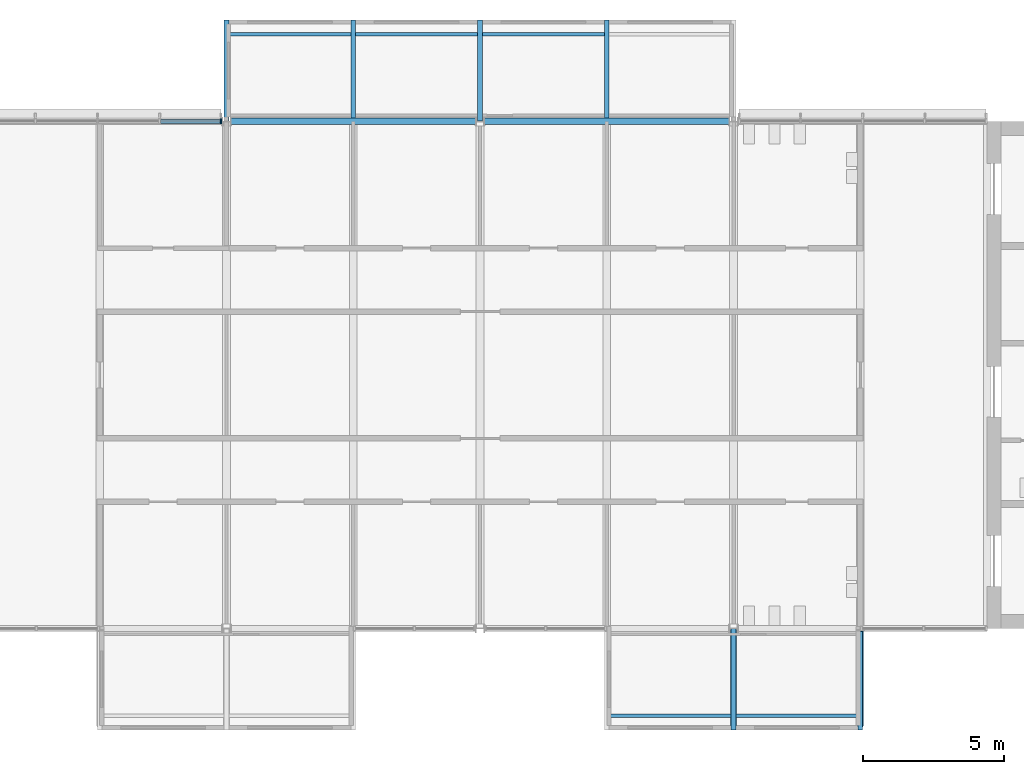
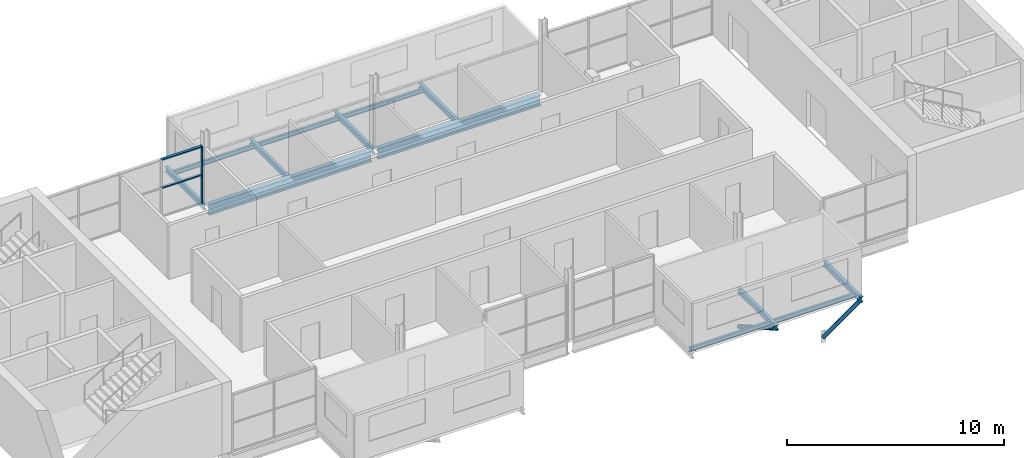
# One storey, part 2 of 12: 13 beams, 5 members, 1 element without a shape of its own.
"""IFC4 building model written with IfcOpenShell, lengths in metres."""

from ifc_helpers import new_model, si_unit, direction, frame, origin, origin_2d, place, context, subcontext, project, spatial, rectangle, hollow_circle, i_section, extrude, material, layer, layer_set, material_profile, profile_set, type_object, element, aggregate, save


model = new_model("IFC4")

# Units and contexts
model_context = context("Model", 3, precision=1e-05, world=origin(), true_north=direction((0.0, 1.0)))
body_context = subcontext(model_context, "Body", "Model", "MODEL_VIEW")
ifc_project = project(units=[si_unit("LENGTHUNIT", "METRE"), si_unit("AREAUNIT", "SQUARE_METRE"), si_unit("VOLUMEUNIT", "CUBIC_METRE"), si_unit("PLANEANGLEUNIT", "RADIAN"), si_unit("MASSUNIT", "GRAM", prefix="KILO")], contexts=[model_context])

# Site, building, storey
site_placement = place(None, origin())
site = spatial("IfcSite", under=ifc_project, at=site_placement, CompositionType="ELEMENT")
building_placement = place(site_placement, origin())
building = spatial("IfcBuilding", under=site, at=building_placement, Name="Corbel Yard City Hall", CompositionType="ELEMENT")
storey_placement = place(building_placement, frame((0.0, 0.0, 55.199951171875)))
storey = spatial("IfcBuildingStorey", under=building, at=storey_placement, Name="L13", CompositionType="ELEMENT", Elevation=55.199951171875)

# Beams
ifc_material_1 = material(Name="Steel Grade 300 (300 MPa yield)", Category="steel")
ifc_material_profile_1 = material_profile(ifc_material_1, i_section(OverallWidth=0.22900390625, OverallDepth=0.612060546875, WebThickness=0.011962890625, FlangeThickness=0.01953125, at=origin_2d()), Name="610UB125")
ifc_profile_set_1 = profile_set([ifc_material_profile_1], Name="Steel Grade 300 (300 MPa yield)")
beam_type_1 = type_object("IfcBeamType", Name="Edge beam 610UB125", PredefinedType="BEAM", material=ifc_profile_set_1)
for number, where, z_axis, x_axis, name in (
    (1, (18.16357421875, 117.0, -0.4560546875), (1.0, 0.0, 0.0), (0.0, 1.0, 0.0), "Edge beam 610UB125 EB7 L13tower"),
    (2, (27.16357421875, 117.0, -0.4560546875), (1.0, 0.0, 0.0), (0.0, 1.0, 0.0), "Edge beam 610UB125 EB7 L13tower"),
):
    element("IfcBeam", number, at=place(storey_placement, frame(where, z_axis=z_axis, x_axis=x_axis)), inside=storey, type_object=beam_type_1, Name=name, PredefinedType="BEAM", context=body_context, shape_type="SweptSolid", body=[
        extrude(i_section(OverallWidth=0.22900390625, OverallDepth=0.612060546875, WebThickness=0.011962890625, FlangeThickness=0.01953125, at=origin_2d()), origin(), (0.0, 0.0, 1.0), 8.6728515625),
    ])

# Curtain wall, member
ifc_material_2 = material(Name="Aluminium extrusion", Category="aluminium")
ifc_layer = layer(ifc_material_2, 0.179931640625)
ifc_layer_set = layer_set([ifc_layer], Name="Aluminium extrusion")
curtain_wall_type = type_object("IfcCurtainWallType", Name="CW6", PredefinedType="USERDEFINED", material=ifc_layer_set)
curtain_wall_placement = place(storey_placement, origin())
curtain_wall = element("IfcCurtainWall", 3, at=curtain_wall_placement, inside=storey, type_object=curtain_wall_type, Name="Curtain wall CW6 L13", ObjectType="CURTAIN WALL", PredefinedType="USERDEFINED")
ifc_material_profile_2 = material_profile(ifc_material_2, rectangle(XDim=0.179931640625, YDim=0.06494140625, at=origin_2d()), Name="180x65")
ifc_profile_set_2 = profile_set([ifc_material_profile_2], Name="Aluminium extrusion")
member_type_1 = type_object("IfcMemberType", Name="ML6", PredefinedType="MULLION", material=ifc_profile_set_2)
member_1_placement = place(storey_placement, frame((17.803955078125, 117.0, 0.0), z_axis=(0.0, 0.0, 1.0), x_axis=(0.0, 1.0, 0.0)))
member_1 = element("IfcMember", 4, at=member_1_placement, type_object=member_type_1, Name="CW6 mullion 5", PredefinedType="MULLION", context=body_context, shape_type="SweptSolid", body=[
    extrude(rectangle(XDim=0.179931640625, YDim=0.06494140625, at=origin_2d()), origin(), (0.0, 0.0, 1.0), 3.238037109375),
])

# Members
ifc_material_3 = material(Name="Steel Grade C350L0", Category="steel")
ifc_material_profile_3 = material_profile(ifc_material_3, hollow_circle(Radius=0.109619140625, WallThickness=0.00830078125, at=origin_2d()), Name="219.1x8.2CHS")
ifc_profile_set_3 = profile_set([ifc_material_profile_3], Name="Steel Grade C350L0")
member_type_2 = type_object("IfcMemberType", Name="Pod knee brace", PredefinedType="BRACE", material=ifc_profile_set_3)
member_2_placement = place(storey_placement, frame((36.0, 95.56005859375, -0.4169921875), z_axis=(0.0, 0.865984367075, -0.500071070931), x_axis=(-1.0, 0.0, 0.0)))
element("IfcMember", 5, at=member_2_placement, inside=storey, type_object=member_type_2, Name="Pod knee brace", PredefinedType="BRACE", context=body_context, shape_type="SweptSolid", body=[
    extrude(hollow_circle(Radius=0.109619140625, WallThickness=0.00830078125, at=origin_2d()), origin(), (0.0, 0.0, 1.0), 3.89990234375),
])
member_3_placement = place(storey_placement, frame((40.5, 95.56005859375, -0.4169921875), z_axis=(0.0, 0.634337153604, -0.773056515112), x_axis=(-1.0, 0.0, 0.0)))
element("IfcMember", 6, at=member_3_placement, inside=storey, type_object=member_type_2, Name="Pod knee brace", PredefinedType="BRACE", context=body_context, shape_type="SweptSolid", body=[
    extrude(hollow_circle(Radius=0.109619140625, WallThickness=0.00830078125, at=origin_2d()), origin(), (0.0, 0.0, 1.0), 5.28173828125),
])

# Beams
ifc_material_profile_4 = material_profile(ifc_material_1, i_section(OverallWidth=0.166015625, OverallDepth=0.306884765625, WebThickness=0.006591796875, FlangeThickness=0.01171875, at=origin_2d()), Name="310UB46.2")
ifc_profile_set_4 = profile_set([ifc_material_profile_4], Name="Steel Grade 300 (300 MPa yield)")
beam_type_2 = type_object("IfcBeamType", Name="Pod stub beam 310UB46.2", PredefinedType="BEAM", material=ifc_profile_set_4)
beam_1_placement = place(storey_placement, frame((36.0, 95.39990234375, -0.303466796875), z_axis=(0.0, 1.0, 0.0), x_axis=(-1.0, 0.0, 0.0)))
element("IfcBeam", 7, at=beam_1_placement, inside=storey, type_object=beam_type_2, Name="Pod stub 310UB46.2 CB1 L13", PredefinedType="BEAM", context=body_context, shape_type="SweptSolid", body=[
    extrude(i_section(OverallWidth=0.166015625, OverallDepth=0.306884765625, WebThickness=0.006591796875, FlangeThickness=0.01171875, at=origin_2d()), origin(), (0.0, 0.0, 1.0), 3.59228515625),
])
beam_2_placement = place(storey_placement, frame((40.5, 95.39990234375, -0.303466796875), z_axis=(0.0, 1.0, 0.0), x_axis=(-1.0, 0.0, 0.0)))
element("IfcBeam", 8, at=beam_2_placement, inside=storey, type_object=beam_type_2, Name="Pod stub 310UB46.2 CB1 L13", PredefinedType="BEAM", context=body_context, shape_type="SweptSolid", body=[
    extrude(i_section(OverallWidth=0.166015625, OverallDepth=0.306884765625, WebThickness=0.006591796875, FlangeThickness=0.01171875, at=origin_2d()), origin(), (0.0, 0.0, 1.0), 3.485595703125),
])
beam_3_placement = place(storey_placement, frame((18.0, 117.0078125, -0.303466796875), z_axis=(0.0, 1.0, 0.0), x_axis=(-1.0, 0.0, 0.0)))
element("IfcBeam", 9, at=beam_3_placement, inside=storey, type_object=beam_type_2, Name="Pod stub 310UB46.2 CB1 L13", PredefinedType="BEAM", context=body_context, shape_type="SweptSolid", body=[
    extrude(i_section(OverallWidth=0.166015625, OverallDepth=0.306884765625, WebThickness=0.006591796875, FlangeThickness=0.01171875, at=origin_2d()), origin(), (0.0, 0.0, 1.0), 3.59228515625),
])
beam_4_placement = place(storey_placement, frame((22.5, 117.114501953125, -0.303466796875), z_axis=(0.0, 1.0, 0.0), x_axis=(-1.0, 0.0, 0.0)))
element("IfcBeam", 10, at=beam_4_placement, inside=storey, type_object=beam_type_2, Name="Pod stub 310UB46.2 CB1 L13", PredefinedType="BEAM", context=body_context, shape_type="SweptSolid", body=[
    extrude(i_section(OverallWidth=0.166015625, OverallDepth=0.306884765625, WebThickness=0.006591796875, FlangeThickness=0.01171875, at=origin_2d()), origin(), (0.0, 0.0, 1.0), 3.485595703125),
])
beam_5_placement = place(storey_placement, frame((27.0, 117.0078125, -0.303466796875), z_axis=(0.0, 1.0, 0.0), x_axis=(-1.0, 0.0, 0.0)))
element("IfcBeam", 11, at=beam_5_placement, inside=storey, type_object=beam_type_2, Name="Pod stub 310UB46.2 CB1 L13", PredefinedType="BEAM", context=body_context, shape_type="SweptSolid", body=[
    extrude(i_section(OverallWidth=0.166015625, OverallDepth=0.306884765625, WebThickness=0.006591796875, FlangeThickness=0.01171875, at=origin_2d()), origin(), (0.0, 0.0, 1.0), 3.59228515625),
])
beam_6_placement = place(storey_placement, frame((31.5, 117.114501953125, -0.303466796875), z_axis=(0.0, 1.0, 0.0), x_axis=(-1.0, 0.0, 0.0)))
element("IfcBeam", 12, at=beam_6_placement, inside=storey, type_object=beam_type_2, Name="Pod stub 310UB46.2 CB1 L13", PredefinedType="BEAM", context=body_context, shape_type="SweptSolid", body=[
    extrude(i_section(OverallWidth=0.166015625, OverallDepth=0.306884765625, WebThickness=0.006591796875, FlangeThickness=0.01171875, at=origin_2d()), origin(), (0.0, 0.0, 1.0), 3.485595703125),
])
ifc_material_profile_5 = material_profile(ifc_material_1, i_section(OverallWidth=0.1240234375, OverallDepth=0.248046875, WebThickness=0.0048828125, FlangeThickness=0.008056640625, at=origin_2d()), Name="250UB25.7")
ifc_profile_set_5 = profile_set([ifc_material_profile_5], Name="Steel Grade 300 (300 MPa yield)")
beam_type_3 = type_object("IfcBeamType", Name="Pod tip beam", PredefinedType="BEAM", material=ifc_profile_set_5)
for number, where, z_axis, x_axis, name in (
    (13, (31.5830078125, 95.89990234375, -0.27392578125), (1.0, 0.0, 0.0), (0.0, 1.0, 0.0), "Pod tip beam"),
    (14, (36.0830078125, 95.89990234375, -0.27392578125), (1.0, 0.0, 0.0), (0.0, 1.0, 0.0), "Pod tip beam"),
    (15, (18.0830078125, 120.10009765625, -0.27392578125), (1.0, 0.0, 0.0), (0.0, 1.0, 0.0), "Pod tip beam"),
    (16, (22.5830078125, 120.10009765625, -0.27392578125), (1.0, 0.0, 0.0), (0.0, 1.0, 0.0), "Pod tip beam"),
    (17, (27.0830078125, 120.10009765625, -0.27392578125), (1.0, 0.0, 0.0), (0.0, 1.0, 0.0), "Pod tip beam"),
):
    element("IfcBeam", number, at=place(storey_placement, frame(where, z_axis=z_axis, x_axis=x_axis)), inside=storey, type_object=beam_type_3, Name=name, PredefinedType="BEAM", context=body_context, shape_type="SweptSolid", body=[
        extrude(i_section(OverallWidth=0.1240234375, OverallDepth=0.248046875, WebThickness=0.0048828125, FlangeThickness=0.008056640625, at=origin_2d()), origin(), (0.0, 0.0, 1.0), 4.333984375),
    ])

# Member
ifc_material_profile_6 = material_profile(ifc_material_2, rectangle(XDim=0.139892578125, YDim=0.06494140625, at=origin_2d()), Name="140x65")
ifc_profile_set_6 = profile_set([ifc_material_profile_6], Name="Aluminium extrusion")
member_type_3 = type_object("IfcMemberType", Name="TR6", PredefinedType="USERDEFINED", material=ifc_profile_set_6)
member_4_placement = place(storey_placement, frame((15.659912109375, 117.0, 1.619140625), z_axis=(1.0, 0.0, 0.0), x_axis=(0.0, 1.0, 0.0)))
member_4 = element("IfcMember", 18, at=member_4_placement, type_object=member_type_3, Name="CW6 transom 4.2", ObjectType="TRANSOM", PredefinedType="USERDEFINED", context=body_context, shape_type="SweptSolid", body=[
    extrude(rectangle(XDim=0.139892578125, YDim=0.06494140625, at=origin_2d()), origin(), (0.0, 0.0, 1.0), 2.111572265625),
])

member_5_placement = place(storey_placement, frame((15.659912109375, 117.0, 3.20556640625), z_axis=(1.0, 0.0, 0.0), x_axis=(0.0, 1.0, 0.0)))
member_5 = element("IfcMember", 19, at=member_5_placement, type_object=member_type_3, Name="CW6 transom 4.3", ObjectType="TRANSOM", PredefinedType="USERDEFINED", context=body_context, shape_type="SweptSolid", body=[
    extrude(rectangle(XDim=0.139892578125, YDim=0.06494140625, at=origin_2d()), origin(), (0.0, 0.0, 1.0), 2.111572265625),
])

aggregate(curtain_wall, [member_1, member_4, member_5])

save(model, "model.ifc")
